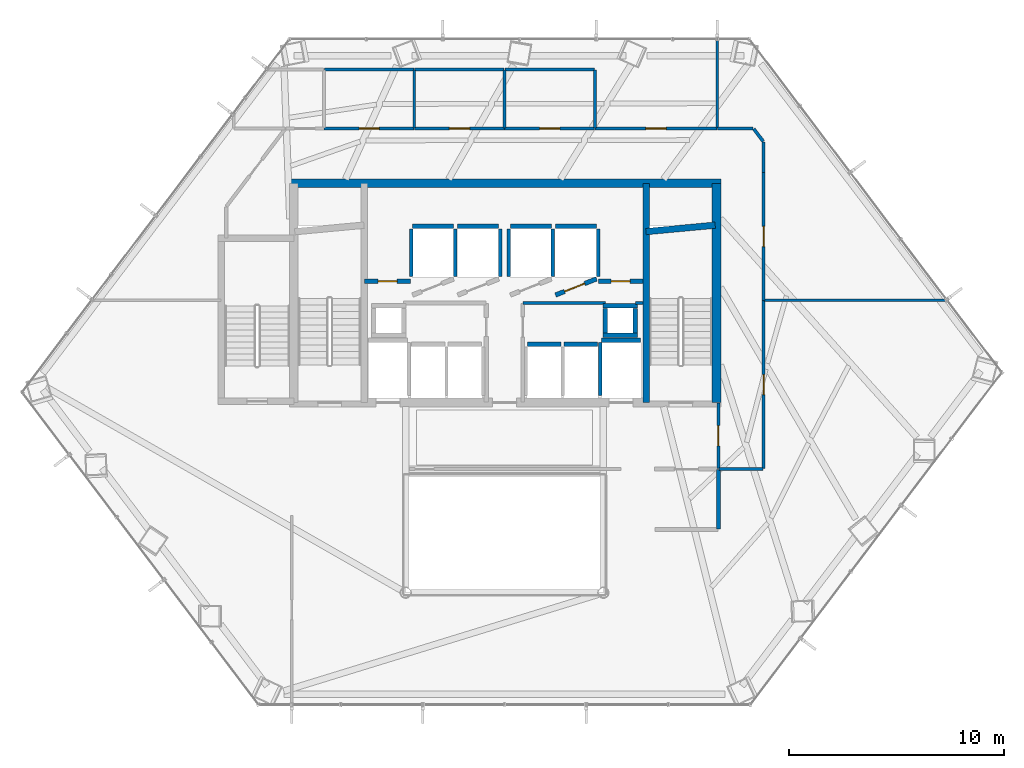
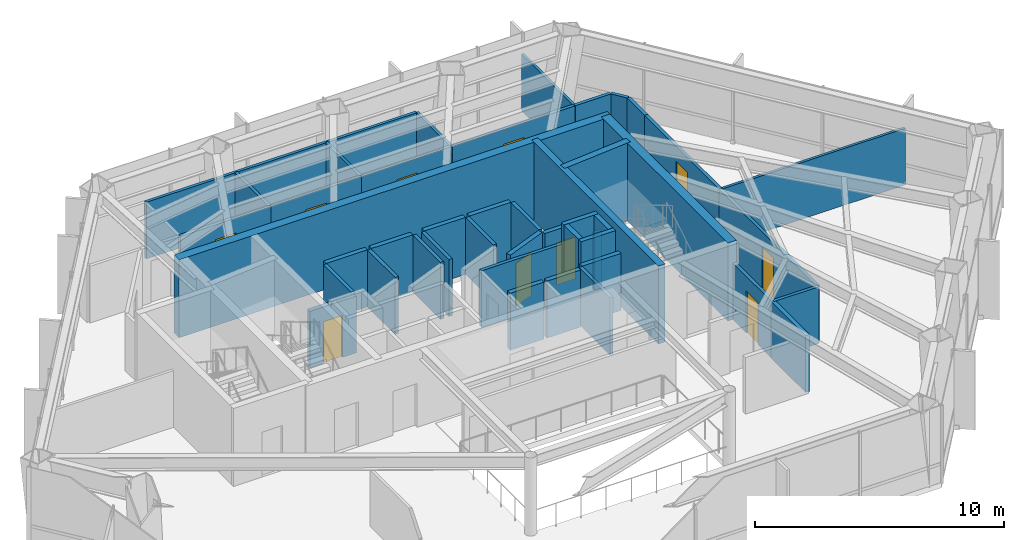
# One storey, part 24 of 26: 47 walls, 10 doors, 10 openings.
"""IFC4 building model written with IfcOpenShell, lengths in metres."""

from ifc_helpers import new_model, si_unit, direction, frame, frame_2d, origin, place, context, subcontext, project, spatial, rectangle, extrude, material, layer, layer_set, type_object, element, fill, save


model = new_model("IFC4")

# Units and contexts
model_context = context("Model", 3, precision=1e-05, world=origin(), true_north=direction((0.0, 1.0)))
body_context = subcontext(model_context, "Body", "Model", "MODEL_VIEW")
ifc_project = project(units=[si_unit("LENGTHUNIT", "METRE"), si_unit("AREAUNIT", "SQUARE_METRE"), si_unit("VOLUMEUNIT", "CUBIC_METRE"), si_unit("PLANEANGLEUNIT", "RADIAN"), si_unit("MASSUNIT", "GRAM", prefix="KILO")], contexts=[model_context])

# Site, building, storey
site_placement = place(None, origin())
site = spatial("IfcSite", under=ifc_project, at=site_placement, CompositionType="ELEMENT")
building_placement = place(site_placement, origin())
building = spatial("IfcBuilding", under=site, at=building_placement, Name="Zarrinselat Tower", CompositionType="ELEMENT")
storey_placement = place(building_placement, frame((0.0, 0.0, 35.699951171875)))
storey = spatial("IfcBuildingStorey", under=building, at=storey_placement, Name="L08", CompositionType="ELEMENT", Elevation=35.699951171875)

# Walls
ifc_material_1 = material(Name="Concrete C40/50", Category="concrete")
ifc_layer_1 = layer(ifc_material_1, 0.18994140625)
ifc_layer_set_1 = layer_set([ifc_layer_1], Name="Concrete C40/50")
wall_type_1 = type_object("IfcWallType", Name="WAL-PART-EI120", PredefinedType="PARTITIONING", material=ifc_layer_set_1)
wall_1_placement = place(storey_placement, frame((48.35009765625, 27.3701171875, 0.0), z_axis=(0.0, 0.0, 1.0), x_axis=(0.0, 1.0, 0.0)))
element("IfcWall", 1, at=wall_1_placement, inside=storey, type_object=wall_type_1, Name="L08 Partition Wall 12", PredefinedType="PARTITIONING", context=body_context, shape_type="SweptSolid", body=[
    extrude(rectangle(XDim=2.759765625, YDim=0.18994140625, at=frame_2d((1.3798828125, 0.0))), origin(), (0.0, 0.0, 1.0), 2.777099609375),
])
ifc_material_2 = material(Name="Fire-Rated Gypsum Board Partition", Category="gypsum")
ifc_layer_2 = layer(ifc_material_2, 0.14990234375)
ifc_layer_set_2 = layer_set([ifc_layer_2], Name="Fire-Rated Gypsum Board Partition")
wall_type_2 = type_object("IfcWallType", Name="WAL-PART-EI60", PredefinedType="PARTITIONING", material=ifc_layer_set_2)
wall_2_placement = place(storey_placement, frame((39.27001953125, 37.8798828125, 0.0), z_axis=(0.0, 0.0, 1.0), x_axis=(1.0, 0.0, 0.0)))
element("IfcWall", 2, at=wall_2_placement, inside=storey, type_object=wall_type_2, Name="L08 Partition Wall 5", PredefinedType="PARTITIONING", context=body_context, shape_type="SweptSolid", body=[
    extrude(rectangle(XDim=3.824951171875, YDim=0.14990234375, at=frame_2d((1.91259765625, 0.0))), origin(), (0.0, 0.0, 1.0), 2.777099609375),
])
wall_3_placement = place(storey_placement, frame((44.485107421875, 37.8798828125, 0.0), z_axis=(0.0, 0.0, 1.0), x_axis=(1.0, 0.0, 0.0)))
element("IfcWall", 3, at=wall_3_placement, inside=storey, type_object=wall_type_2, Name="L08 Partition Wall 6", PredefinedType="PARTITIONING", context=body_context, shape_type="SweptSolid", body=[
    extrude(rectangle(XDim=0.349853515625, YDim=0.14990234375, at=frame_2d((0.1748046875, 0.0))), origin(), (0.0, 0.0, 1.0), 2.777099609375),
])

# Wall, opening, door
wall_4_placement = place(storey_placement, frame((48.35009765625, 30.169921875, 0.0), z_axis=(0.0, 0.0, 1.0), x_axis=(0.0, 1.0, 0.0)))
wall_4 = element("IfcWall", 4, at=wall_4_placement, inside=storey, type_object=wall_type_2, Name="L08 Partition Wall 9", PredefinedType="PARTITIONING", context=body_context, shape_type="SweptSolid", body=[
    extrude(rectangle(XDim=3.06005859375, YDim=0.14990234375, at=frame_2d((1.530029296875, 0.0))), origin(), (0.0, 0.0, 1.0), 2.777099609375),
])
opening_1_placement = place(wall_4_placement, frame((1.06005859375, 0.0, 0.0)))
opening_1 = element("IfcOpeningElement", 5, at=opening_1_placement, cuts=wall_4, Name="Opening ID-04", PredefinedType="OPENING", context=body_context, shape_type="SweptSolid", body=[
    extrude(rectangle(XDim=0.93994140625, YDim=2.050048828125, at=frame_2d((0.469970703125, 1.02490234375))), frame((0.0, 0.0849609375, 0.0), z_axis=(0.0, -1.0, 0.0), x_axis=(1.0, 0.0, 0.0)), (0.0, 0.0, 1.0), 0.169921875),
])
ifc_material_3 = material(Name="Fire-Rated Gypsum Board Partition")
door_type_1 = type_object("IfcDoorType", Name="DR-INT-FD30-ENT", OperationType="NOTDEFINED", PredefinedType="DOOR", material=ifc_material_3)
door_1_placement = place(opening_1_placement, origin())
door_1 = element("IfcDoor", 6, at=door_1_placement, inside=storey, type_object=door_type_1, Name="L08 Interior Door P9", OperationType="SINGLE_SWING_RIGHT", OverallHeight=2.050048828125, OverallWidth=0.93994140625, PredefinedType="DOOR", context=body_context, shape_type="SweptSolid", body=[
    extrude(rectangle(XDim=0.93994140625, YDim=2.050048828125, at=frame_2d((0.469970703125, 1.02490234375))), frame((0.0, 0.02490234375, 0.0), z_axis=(0.0, -1.0, 0.0), x_axis=(1.0, 0.0, 0.0)), (0.0, 0.0, 1.0), 0.050048828125),
])
fill(opening_1, door_1)

wall_5_placement = place(storey_placement, frame((30.0048828125, 46.0, 0.0), z_axis=(0.0, 0.0, 1.0), x_axis=(1.0, 0.0, 0.0)))
wall_5 = element("IfcWall", 7, at=wall_5_placement, inside=storey, type_object=wall_type_2, Name="L08 Partition Wall 14", PredefinedType="PARTITIONING", context=body_context, shape_type="SweptSolid", body=[
    extrude(rectangle(XDim=4.190185546875, YDim=0.14990234375, at=frame_2d((2.09521484375, 0.0))), origin(), (0.0, 0.0, 1.0), 2.777099609375),
])
opening_2_placement = place(wall_5_placement, frame((1.625, 0.0, 0.0)))
opening_2 = element("IfcOpeningElement", 8, at=opening_2_placement, cuts=wall_5, Name="Opening ID-04", PredefinedType="OPENING", context=body_context, shape_type="SweptSolid", body=[
    extrude(rectangle(XDim=0.93994140625, YDim=2.050048828125, at=frame_2d((0.469970703125, 1.02490234375))), frame((0.0, 0.0849609375, 0.0), z_axis=(0.0, -1.0, 0.0), x_axis=(1.0, 0.0, 0.0)), (0.0, 0.0, 1.0), 0.169921875),
])
door_2_placement = place(opening_2_placement, origin())
door_2 = element("IfcDoor", 9, at=door_2_placement, inside=storey, type_object=door_type_1, Name="L08 Interior Door P14", OperationType="SINGLE_SWING_LEFT", OverallHeight=2.050048828125, OverallWidth=0.93994140625, PredefinedType="DOOR", context=body_context, shape_type="SweptSolid", body=[
    extrude(rectangle(XDim=0.93994140625, YDim=2.050048828125, at=frame_2d((0.469970703125, 1.02490234375))), frame((0.0, 0.02490234375, 0.0), z_axis=(0.0, -1.0, 0.0), x_axis=(1.0, 0.0, 0.0)), (0.0, 0.0, 1.0), 0.050048828125),
])
fill(opening_2, door_2)

wall_6_placement = place(storey_placement, frame((34.205078125, 46.0, 0.0), z_axis=(0.0, 0.0, 1.0), x_axis=(1.0, 0.0, 0.0)))
wall_6 = element("IfcWall", 10, at=wall_6_placement, inside=storey, type_object=wall_type_2, Name="L08 Partition Wall 15", PredefinedType="PARTITIONING", context=body_context, shape_type="SweptSolid", body=[
    extrude(rectangle(XDim=4.18994140625, YDim=0.14990234375, at=frame_2d((2.094970703125, 0.0))), origin(), (0.0, 0.0, 1.0), 2.777099609375),
])
opening_3_placement = place(wall_6_placement, frame((1.625, 0.0, 0.0)))
opening_3 = element("IfcOpeningElement", 11, at=opening_3_placement, cuts=wall_6, Name="Opening ID-04", PredefinedType="OPENING", context=body_context, shape_type="SweptSolid", body=[
    extrude(rectangle(XDim=0.93994140625, YDim=2.050048828125, at=frame_2d((0.469970703125, 1.02490234375))), frame((0.0, 0.0849609375, 0.0), z_axis=(0.0, -1.0, 0.0), x_axis=(1.0, 0.0, 0.0)), (0.0, 0.0, 1.0), 0.169921875),
])
door_3_placement = place(opening_3_placement, origin())
door_3 = element("IfcDoor", 12, at=door_3_placement, inside=storey, type_object=door_type_1, Name="L08 Interior Door P15", OperationType="SINGLE_SWING_RIGHT", OverallHeight=2.050048828125, OverallWidth=0.93994140625, PredefinedType="DOOR", context=body_context, shape_type="SweptSolid", body=[
    extrude(rectangle(XDim=0.93994140625, YDim=2.050048828125, at=frame_2d((0.469970703125, 1.02490234375))), frame((0.0, 0.02490234375, 0.0), z_axis=(0.0, -1.0, 0.0), x_axis=(1.0, 0.0, 0.0)), (0.0, 0.0, 1.0), 0.050048828125),
])
fill(opening_3, door_3)

wall_7_placement = place(storey_placement, frame((38.405029296875, 46.0, 0.0), z_axis=(0.0, 0.0, 1.0), x_axis=(1.0, 0.0, 0.0)))
wall_7 = element("IfcWall", 13, at=wall_7_placement, inside=storey, type_object=wall_type_2, Name="L08 Partition Wall 16", PredefinedType="PARTITIONING", context=body_context, shape_type="SweptSolid", body=[
    extrude(rectangle(XDim=4.18994140625, YDim=0.14990234375, at=frame_2d((2.094970703125, 0.0))), origin(), (0.0, 0.0, 1.0), 2.777099609375),
])
opening_4_placement = place(wall_7_placement, frame((1.625, 0.0, 0.0)))
opening_4 = element("IfcOpeningElement", 14, at=opening_4_placement, cuts=wall_7, Name="Opening ID-04", PredefinedType="OPENING", context=body_context, shape_type="SweptSolid", body=[
    extrude(rectangle(XDim=0.93994140625, YDim=2.050048828125, at=frame_2d((0.469970703125, 1.02490234375))), frame((0.0, 0.0849609375, 0.0), z_axis=(0.0, -1.0, 0.0), x_axis=(1.0, 0.0, 0.0)), (0.0, 0.0, 1.0), 0.169921875),
])
door_4_placement = place(opening_4_placement, origin())
door_4 = element("IfcDoor", 15, at=door_4_placement, inside=storey, type_object=door_type_1, Name="L08 Interior Door P16", OperationType="SINGLE_SWING_LEFT", OverallHeight=2.050048828125, OverallWidth=0.93994140625, PredefinedType="DOOR", context=body_context, shape_type="SweptSolid", body=[
    extrude(rectangle(XDim=0.93994140625, YDim=2.050048828125, at=frame_2d((0.469970703125, 1.02490234375))), frame((0.0, 0.02490234375, 0.0), z_axis=(0.0, -1.0, 0.0), x_axis=(1.0, 0.0, 0.0)), (0.0, 0.0, 1.0), 0.050048828125),
])
fill(opening_4, door_4)

wall_8_placement = place(storey_placement, frame((50.449951171875, 30.169921875, 0.0), z_axis=(0.0, 0.0, 1.0), x_axis=(0.0, 1.0, 0.0)))
wall_8 = element("IfcWall", 16, at=wall_8_placement, inside=storey, type_object=wall_type_2, Name="L08 Partition Wall 17", PredefinedType="PARTITIONING", context=body_context, shape_type="SweptSolid", body=[
    extrude(rectangle(XDim=7.8251953125, YDim=0.14990234375, at=frame_2d((3.91259765625, 0.0))), origin(), (0.0, 0.0, 1.0), 2.777099609375),
])
opening_5_placement = place(wall_8_placement, frame((3.4423828125, 0.0, 0.0)))
opening_5 = element("IfcOpeningElement", 17, at=opening_5_placement, cuts=wall_8, Name="Opening ID-04", PredefinedType="OPENING", context=body_context, shape_type="SweptSolid", body=[
    extrude(rectangle(XDim=0.93994140625, YDim=2.050048828125, at=frame_2d((0.469970703125, 1.02490234375))), frame((0.0, 0.0849609375, 0.0), z_axis=(0.0, -1.0, 0.0), x_axis=(1.0, 0.0, 0.0)), (0.0, 0.0, 1.0), 0.169921875),
])
door_5_placement = place(opening_5_placement, origin())
door_5 = element("IfcDoor", 18, at=door_5_placement, inside=storey, type_object=door_type_1, Name="L08 Interior Door P17", OperationType="SINGLE_SWING_RIGHT", OverallHeight=2.050048828125, OverallWidth=0.93994140625, PredefinedType="DOOR", context=body_context, shape_type="SweptSolid", body=[
    extrude(rectangle(XDim=0.93994140625, YDim=2.050048828125, at=frame_2d((0.469970703125, 1.02490234375))), frame((0.0, 0.02490234375, 0.0), z_axis=(0.0, -1.0, 0.0), x_axis=(1.0, 0.0, 0.0)), (0.0, 0.0, 1.0), 0.050048828125),
])
fill(opening_5, door_5)

# Walls
wall_9_placement = place(storey_placement, frame((48.3701171875, 30.14990234375, 0.0), z_axis=(0.0, 0.0, 1.0), x_axis=(1.0, 0.0, 0.0)))
element("IfcWall", 19, at=wall_9_placement, inside=storey, type_object=wall_type_2, Name="L08 Partition Wall 18", PredefinedType="PARTITIONING", context=body_context, shape_type="SweptSolid", body=[
    extrude(rectangle(XDim=2.059814453125, YDim=0.14990234375, at=frame_2d((1.02978515625, 0.0))), origin(), (0.0, 0.0, 1.0), 2.777099609375),
])
wall_10_placement = place(storey_placement, frame((48.31494140625, 46.0, 0.0), z_axis=(0.0, 0.0, 1.0), x_axis=(1.0, 0.0, 0.0)))
element("IfcWall", 20, at=wall_10_placement, inside=storey, type_object=wall_type_2, Name="L08 Partition Wall 21", PredefinedType="PARTITIONING", context=body_context, shape_type="SweptSolid", body=[
    extrude(rectangle(XDim=1.64599609375, YDim=0.14990234375, at=frame_2d((0.822998046875, 0.0))), origin(), (0.0, 0.0, 1.0), 2.777099609375),
])
wall_11_placement = place(storey_placement, frame((49.9931640625, 45.984130859375, 0.0), z_axis=(0.0, 0.0, 1.0), x_axis=(0.603704571474, -0.797208122375, 0.0)))
element("IfcWall", 21, at=wall_11_placement, inside=storey, type_object=wall_type_2, Name="L08 Partition Wall 22", PredefinedType="PARTITIONING", context=body_context, shape_type="SweptSolid", body=[
    extrude(rectangle(XDim=0.73681640625, YDim=0.14990234375, at=frame_2d((0.368408203125, 0.0))), origin(), (0.0, 0.0, 1.0), 2.777099609375),
])
wall_12_placement = place(storey_placement, frame((50.449951171875, 43.949951171875, 0.0), z_axis=(0.0, 0.0, 1.0), x_axis=(0.0, 1.0, 0.0)))
element("IfcWall", 22, at=wall_12_placement, inside=storey, type_object=wall_type_2, Name="L08 Partition Wall 23", PredefinedType="PARTITIONING", context=body_context, shape_type="SweptSolid", body=[
    extrude(rectangle(XDim=1.410888671875, YDim=0.14990234375, at=frame_2d((0.70556640625, 0.0))), origin(), (0.0, 0.0, 1.0), 2.777099609375),
])

# Wall, opening, door
wall_13_placement = place(storey_placement, frame((50.449951171875, 38.0048828125, 0.0), z_axis=(0.0, 0.0, 1.0), x_axis=(0.0, 1.0, 0.0)))
wall_13 = element("IfcWall", 23, at=wall_13_placement, inside=storey, type_object=wall_type_2, Name="L08 Partition Wall 24", PredefinedType="PARTITIONING", context=body_context, shape_type="SweptSolid", body=[
    extrude(rectangle(XDim=5.945068359375, YDim=0.14990234375, at=frame_2d((2.97265625, 0.0))), origin(), (0.0, 0.0, 1.0), 2.777099609375),
])
opening_6_placement = place(wall_13_placement, frame((2.50244140625, 0.0, 0.0)))
opening_6 = element("IfcOpeningElement", 24, at=opening_6_placement, cuts=wall_13, Name="Opening ID-04", PredefinedType="OPENING", context=body_context, shape_type="SweptSolid", body=[
    extrude(rectangle(XDim=0.93994140625, YDim=2.050048828125, at=frame_2d((0.469970703125, 1.02490234375))), frame((0.0, 0.0849609375, 0.0), z_axis=(0.0, -1.0, 0.0), x_axis=(1.0, 0.0, 0.0)), (0.0, 0.0, 1.0), 0.169921875),
])
door_6_placement = place(opening_6_placement, origin())
door_6 = element("IfcDoor", 25, at=door_6_placement, inside=storey, type_object=door_type_1, Name="L08 Interior Door P24", OperationType="SINGLE_SWING_RIGHT", OverallHeight=2.050048828125, OverallWidth=0.93994140625, PredefinedType="DOOR", context=body_context, shape_type="SweptSolid", body=[
    extrude(rectangle(XDim=0.93994140625, YDim=2.050048828125, at=frame_2d((0.469970703125, 1.02490234375))), frame((0.0, 0.02490234375, 0.0), z_axis=(0.0, -1.0, 0.0), x_axis=(1.0, 0.0, 0.0)), (0.0, 0.0, 1.0), 0.050048828125),
])
fill(opening_6, door_6)

wall_14_placement = place(storey_placement, frame((42.60498046875, 46.0, 0.0), z_axis=(0.0, 0.0, 1.0), x_axis=(1.0, 0.0, 0.0)))
wall_14 = element("IfcWall", 26, at=wall_14_placement, inside=storey, type_object=wall_type_2, Name="L08 Partition Wall 25", PredefinedType="PARTITIONING", context=body_context, shape_type="SweptSolid", body=[
    extrude(rectangle(XDim=5.68994140625, YDim=0.14990234375, at=frame_2d((2.844970703125, 0.0))), origin(), (0.0, 0.0, 1.0), 2.777099609375),
])
opening_7_placement = place(wall_14_placement, frame((2.375, 0.0, 0.0)))
opening_7 = element("IfcOpeningElement", 27, at=opening_7_placement, cuts=wall_14, Name="Opening ID-04", PredefinedType="OPENING", context=body_context, shape_type="SweptSolid", body=[
    extrude(rectangle(XDim=0.93994140625, YDim=2.050048828125, at=frame_2d((0.469970703125, 1.02490234375))), frame((0.0, 0.0849609375, 0.0), z_axis=(0.0, -1.0, 0.0), x_axis=(1.0, 0.0, 0.0)), (0.0, 0.0, 1.0), 0.169921875),
])
door_7_placement = place(opening_7_placement, origin())
door_7 = element("IfcDoor", 28, at=door_7_placement, inside=storey, type_object=door_type_1, Name="L08 Interior Door P25", OperationType="SINGLE_SWING_LEFT", OverallHeight=2.050048828125, OverallWidth=0.93994140625, PredefinedType="DOOR", context=body_context, shape_type="SweptSolid", body=[
    extrude(rectangle(XDim=0.93994140625, YDim=2.050048828125, at=frame_2d((0.469970703125, 1.02490234375))), frame((0.0, 0.02490234375, 0.0), z_axis=(0.0, -1.0, 0.0), x_axis=(1.0, 0.0, 0.0)), (0.0, 0.0, 1.0), 0.050048828125),
])
fill(opening_7, door_7)

ifc_material_4 = material(Name="Concrete C40/50", Category="concrete")
ifc_layer_3 = layer(ifc_material_4, 0.199951171875)
ifc_layer_set_3 = layer_set([ifc_layer_3], Name="Concrete C40/50")
wall_type_3 = type_object("IfcWallType", Name="WAL-PART-PLANT", PredefinedType="PARTITIONING", material=ifc_layer_set_3)
wall_15_placement = place(storey_placement, frame((31.885009765625, 38.889892578125, 0.0), z_axis=(0.0, 0.0, 1.0), x_axis=(1.0, 0.0, 0.0)))
wall_15 = element("IfcWall", 29, at=wall_15_placement, inside=storey, type_object=wall_type_3, Name="L08 Partition Wall 3", PredefinedType="PARTITIONING", context=body_context, shape_type="SweptSolid", body=[
    extrude(rectangle(XDim=2.14990234375, YDim=0.199951171875, at=frame_2d((1.074951171875, 0.0))), origin(), (0.0, 0.0, 1.0), 2.777099609375),
])
opening_8_placement = place(wall_15_placement, frame((0.635009765625, 0.0, 0.0)))
opening_8 = element("IfcOpeningElement", 30, at=opening_8_placement, cuts=wall_15, Name="Opening ID-03", PredefinedType="OPENING", context=body_context, shape_type="SweptSolid", body=[
    extrude(rectangle(XDim=0.8798828125, YDim=2.050048828125, at=frame_2d((0.43994140625, 1.02490234375))), frame((0.0, 0.10986328125, 0.0), z_axis=(0.0, -1.0, 0.0), x_axis=(1.0, 0.0, 0.0)), (0.0, 0.0, 1.0), 0.219970703125),
])
ifc_material_5 = material(Name="Steel S355J2", Category="steel")
door_type_2 = type_object("IfcDoorType", Name="DR-INT-FD60-S", OperationType="NOTDEFINED", PredefinedType="DOOR", material=ifc_material_5)
door_8_placement = place(opening_8_placement, origin())
door_8 = element("IfcDoor", 31, at=door_8_placement, inside=storey, type_object=door_type_2, Name="L08 Interior Door P3", OperationType="SINGLE_SWING_RIGHT", OverallHeight=2.050048828125, OverallWidth=0.8798828125, PredefinedType="DOOR", context=body_context, shape_type="SweptSolid", body=[
    extrude(rectangle(XDim=0.8798828125, YDim=2.050048828125, at=frame_2d((0.43994140625, 1.02490234375))), frame((0.0, 0.02490234375, 0.0), z_axis=(0.0, -1.0, 0.0), x_axis=(1.0, 0.0, 0.0)), (0.0, 0.0, 1.0), 0.050048828125),
])
fill(opening_8, door_8)

wall_16_placement = place(storey_placement, frame((42.764892578125, 38.889892578125, 0.0), z_axis=(0.0, 0.0, 1.0), x_axis=(1.0, 0.0, 0.0)))
wall_16 = element("IfcWall", 32, at=wall_16_placement, inside=storey, type_object=wall_type_3, Name="L08 Partition Wall 4", PredefinedType="PARTITIONING", context=body_context, shape_type="SweptSolid", body=[
    extrude(rectangle(XDim=2.070068359375, YDim=0.199951171875, at=frame_2d((1.03515625, 0.0))), origin(), (0.0, 0.0, 1.0), 2.777099609375),
])
opening_9_placement = place(wall_16_placement, frame((0.594970703125, 0.0, 0.0)))
opening_9 = element("IfcOpeningElement", 33, at=opening_9_placement, cuts=wall_16, Name="Opening ID-03", PredefinedType="OPENING", context=body_context, shape_type="SweptSolid", body=[
    extrude(rectangle(XDim=0.8798828125, YDim=2.050048828125, at=frame_2d((0.43994140625, 1.02490234375))), frame((0.0, 0.10986328125, 0.0), z_axis=(0.0, -1.0, 0.0), x_axis=(1.0, 0.0, 0.0)), (0.0, 0.0, 1.0), 0.219970703125),
])
door_9_placement = place(opening_9_placement, origin())
door_9 = element("IfcDoor", 34, at=door_9_placement, inside=storey, type_object=door_type_2, Name="L08 Interior Door P4", OperationType="SINGLE_SWING_LEFT", OverallHeight=2.050048828125, OverallWidth=0.8798828125, PredefinedType="DOOR", context=body_context, shape_type="SweptSolid", body=[
    extrude(rectangle(XDim=0.8798828125, YDim=2.050048828125, at=frame_2d((0.43994140625, 1.02490234375))), frame((0.0, 0.02490234375, 0.0), z_axis=(0.0, -1.0, 0.0), x_axis=(1.0, 0.0, 0.0)), (0.0, 0.0, 1.0), 0.050048828125),
])
fill(opening_9, door_9)

# Walls
ifc_material_6 = material(Name="Fire-Rated Gypsum Board Partition", Category="gypsum")
ifc_layer_4 = layer(ifc_material_6, 0.1201171875)
ifc_layer_set_4 = layer_set([ifc_layer_4], Name="Fire-Rated Gypsum Board Partition")
wall_type_4 = type_object("IfcWallType", Name="WAL-PART-STD", PredefinedType="PARTITIONING", material=ifc_layer_set_4)
wall_17_placement = place(storey_placement, frame((50.469970703125, 38.0, 0.0), z_axis=(0.0, 0.0, 1.0), x_axis=(1.0, 0.0, 0.0)))
element("IfcWall", 35, at=wall_17_placement, inside=storey, type_object=wall_type_4, Name="L08 Partition Wall 38", PredefinedType="PARTITIONING", context=body_context, shape_type="SweptSolid", body=[
    extrude(rectangle(XDim=8.517333984375, YDim=0.1201171875, at=frame_2d((4.2587890625, 0.0))), origin(), (0.0, 0.0, 1.0), 2.777099609375),
])
wall_18_placement = place(storey_placement, frame((48.300048828125, 46.02001953125, 0.0), z_axis=(0.0, 0.0, 1.0), x_axis=(0.0, 1.0, 0.0)))
element("IfcWall", 36, at=wall_18_placement, inside=storey, type_object=wall_type_4, Name="L08 Partition Wall 39", PredefinedType="PARTITIONING", context=body_context, shape_type="SweptSolid", body=[
    extrude(rectangle(XDim=4.1259765625, YDim=0.1201171875, at=frame_2d((2.06298828125, 0.0))), origin(), (0.0, 0.0, 1.0), 2.777099609375),
])
ifc_material_7 = material(Name="Fire-Rated Gypsum Board Partition", Category="gypsum")
ifc_layer_5 = layer(ifc_material_7, 0.135009765625)
ifc_layer_set_5 = layer_set([ifc_layer_5], Name="Fire-Rated Gypsum Board Partition")
wall_type_5 = type_object("IfcWallType", Name="WAL-PART-WET", PredefinedType="PARTITIONING", material=ifc_layer_set_5)
wall_19_placement = place(storey_placement, frame((34.199951171875, 46.02001953125, 0.0), z_axis=(0.0, 0.0, 1.0), x_axis=(0.0, 1.0, 0.0)))
element("IfcWall", 37, at=wall_19_placement, inside=storey, type_object=wall_type_5, Name="L08 Partition Wall 30", PredefinedType="PARTITIONING", context=body_context, shape_type="SweptSolid", body=[
    extrude(rectangle(XDim=2.7099609375, YDim=0.135009765625, at=frame_2d((1.35498046875, 0.0))), origin(), (0.0, 0.0, 1.0), 2.777099609375),
])
wall_20_placement = place(storey_placement, frame((30.02001953125, 48.75, 0.0), z_axis=(0.0, 0.0, 1.0), x_axis=(1.0, 0.0, 0.0)))
element("IfcWall", 38, at=wall_20_placement, inside=storey, type_object=wall_type_5, Name="L08 Partition Wall 31", PredefinedType="PARTITIONING", context=body_context, shape_type="SweptSolid", body=[
    extrude(rectangle(XDim=4.159912109375, YDim=0.135009765625, at=frame_2d((2.080078125, 0.0))), origin(), (0.0, 0.0, 1.0), 2.777099609375),
])
wall_21_placement = place(storey_placement, frame((38.39990234375, 46.02001953125, 0.0), z_axis=(0.0, 0.0, 1.0), x_axis=(0.0, 1.0, 0.0)))
element("IfcWall", 39, at=wall_21_placement, inside=storey, type_object=wall_type_5, Name="L08 Partition Wall 32", PredefinedType="PARTITIONING", context=body_context, shape_type="SweptSolid", body=[
    extrude(rectangle(XDim=2.7099609375, YDim=0.135009765625, at=frame_2d((1.35498046875, 0.0))), origin(), (0.0, 0.0, 1.0), 2.777099609375),
])
wall_22_placement = place(storey_placement, frame((34.219970703125, 48.75, 0.0), z_axis=(0.0, 0.0, 1.0), x_axis=(1.0, 0.0, 0.0)))
element("IfcWall", 40, at=wall_22_placement, inside=storey, type_object=wall_type_5, Name="L08 Partition Wall 33", PredefinedType="PARTITIONING", context=body_context, shape_type="SweptSolid", body=[
    extrude(rectangle(XDim=4.159912109375, YDim=0.135009765625, at=frame_2d((2.080078125, 0.0))), origin(), (0.0, 0.0, 1.0), 2.777099609375),
])
wall_23_placement = place(storey_placement, frame((38.419921875, 48.75, 0.0), z_axis=(0.0, 0.0, 1.0), x_axis=(1.0, 0.0, 0.0)))
element("IfcWall", 41, at=wall_23_placement, inside=storey, type_object=wall_type_5, Name="L08 Partition Wall 34", PredefinedType="PARTITIONING", context=body_context, shape_type="SweptSolid", body=[
    extrude(rectangle(XDim=4.16015625, YDim=0.135009765625, at=frame_2d((2.080078125, 0.0))), origin(), (0.0, 0.0, 1.0), 2.777099609375),
])
wall_24_placement = place(storey_placement, frame((42.60009765625, 46.02001953125, 0.0), z_axis=(0.0, 0.0, 1.0), x_axis=(0.0, 1.0, 0.0)))
element("IfcWall", 42, at=wall_24_placement, inside=storey, type_object=wall_type_5, Name="L08 Partition Wall 35", PredefinedType="PARTITIONING", context=body_context, shape_type="SweptSolid", body=[
    extrude(rectangle(XDim=2.7099609375, YDim=0.135009765625, at=frame_2d((1.35498046875, 0.0))), origin(), (0.0, 0.0, 1.0), 2.777099609375),
])
ifc_material_8 = material(Name="Concrete C40/50", Category="concrete")
ifc_layer_6 = layer(ifc_material_8, 0.2099609375)
ifc_layer_set_6 = layer_set([ifc_layer_6], Name="Concrete C40/50")
wall_type_6 = type_object("IfcWallType", Name="WAL-SHAFT-210", PredefinedType="SOLIDWALL", material=ifc_layer_set_6)
wall_25_placement = place(storey_placement, frame((42.919921875, 36.155029296875, 0.0), z_axis=(0.0, 0.0, 1.0), x_axis=(1.0, 0.0, 0.0)))
element("IfcWall", 43, at=wall_25_placement, inside=storey, type_object=wall_type_6, Name="L08 Lift FFL2 North Shaft Wall", PredefinedType="SOLIDWALL", context=body_context, shape_type="SweptSolid", body=[
    extrude(rectangle(XDim=1.800048828125, YDim=0.2099609375, at=frame_2d((0.89990234375, 0.0))), origin(), (0.0, 0.0, 1.0), 2.7919921875),
])
wall_26_placement = place(storey_placement, frame((42.85009765625, 33.580078125, 0.0), z_axis=(0.0, 0.0, 1.0), x_axis=(0.0, 1.0, 0.0)))
element("IfcWall", 44, at=wall_26_placement, inside=storey, type_object=wall_type_6, Name="L08 Lift FFL2 W Shaft Wall", PredefinedType="SOLIDWALL", context=body_context, shape_type="SweptSolid", body=[
    extrude(rectangle(XDim=2.449951171875, YDim=0.159912109375, at=frame_2d((1.22509765625, 0.0))), origin(), (0.0, 0.0, 1.0), 2.7919921875),
])
wall_27_placement = place(storey_placement, frame((34.1201171875, 41.455078125, 0.0), z_axis=(0.0, 0.0, 1.0), x_axis=(1.0, 0.0, 0.0)))
element("IfcWall", 45, at=wall_27_placement, inside=storey, type_object=wall_type_6, Name="L08 Lift PL1 Rear Shaft Wall", PredefinedType="SOLIDWALL", context=body_context, shape_type="SweptSolid", body=[
    extrude(rectangle(XDim=1.909912109375, YDim=0.2099609375, at=frame_2d((0.955078125, 0.0))), origin(), (0.0, 0.0, 1.0), 2.7919921875),
])
for number, where, z_axis, x_axis, name in (
    (46, (34.050048828125, 39.1201171875, 0.0), (0.0, 0.0, 1.0), (0.0, 1.0, 0.0), "L08 Lift PL1 W Shaft Wall"),
    (47, (36.10009765625, 39.1201171875, 0.0), (0.0, 0.0, 1.0), (0.0, 1.0, 0.0), "L08 Lift PL1 E Shaft Wall"),
):
    element("IfcWall", number, at=place(storey_placement, frame(where, z_axis=z_axis, x_axis=x_axis)), inside=storey, type_object=wall_type_6, Name=name, PredefinedType="SOLIDWALL", context=body_context, shape_type="SweptSolid", body=[
        extrude(rectangle(XDim=2.2099609375, YDim=0.159912109375, at=frame_2d((1.10498046875, 0.0))), origin(), (0.0, 0.0, 1.0), 2.7919921875),
    ])
wall_28_placement = place(storey_placement, frame((36.219970703125, 41.455078125, 0.0), z_axis=(0.0, 0.0, 1.0), x_axis=(1.0, 0.0, 0.0)))
element("IfcWall", 48, at=wall_28_placement, inside=storey, type_object=wall_type_6, Name="L08 Lift PL2 Rear Shaft Wall", PredefinedType="SOLIDWALL", context=body_context, shape_type="SweptSolid", body=[
    extrude(rectangle(XDim=1.909912109375, YDim=0.2099609375, at=frame_2d((0.955078125, 0.0))), origin(), (0.0, 0.0, 1.0), 2.7919921875),
])
wall_29_placement = place(storey_placement, frame((38.199951171875, 39.1201171875, 0.0), z_axis=(0.0, 0.0, 1.0), x_axis=(0.0, 1.0, 0.0)))
element("IfcWall", 49, at=wall_29_placement, inside=storey, type_object=wall_type_6, Name="L08 Lift PL2 E Shaft Wall", PredefinedType="SOLIDWALL", context=body_context, shape_type="SweptSolid", body=[
    extrude(rectangle(XDim=2.2099609375, YDim=0.159912109375, at=frame_2d((1.10498046875, 0.0))), origin(), (0.0, 0.0, 1.0), 2.7919921875),
])
wall_30_placement = place(storey_placement, frame((38.669921875, 41.455078125, 0.0), z_axis=(0.0, 0.0, 1.0), x_axis=(1.0, 0.0, 0.0)))
element("IfcWall", 50, at=wall_30_placement, inside=storey, type_object=wall_type_6, Name="L08 Lift PL3 Rear Shaft Wall", PredefinedType="SOLIDWALL", context=body_context, shape_type="SweptSolid", body=[
    extrude(rectangle(XDim=1.91015625, YDim=0.2099609375, at=frame_2d((0.955078125, 0.0))), origin(), (0.0, 0.0, 1.0), 2.7919921875),
])
for number, where, z_axis, x_axis, name in (
    (51, (38.60009765625, 39.1201171875, 0.0), (0.0, 0.0, 1.0), (0.0, 1.0, 0.0), "L08 Lift PL3 W Shaft Wall"),
    (52, (40.64990234375, 39.1201171875, 0.0), (0.0, 0.0, 1.0), (0.0, 1.0, 0.0), "L08 Lift PL3 E Shaft Wall"),
):
    element("IfcWall", number, at=place(storey_placement, frame(where, z_axis=z_axis, x_axis=x_axis)), inside=storey, type_object=wall_type_6, Name=name, PredefinedType="SOLIDWALL", context=body_context, shape_type="SweptSolid", body=[
        extrude(rectangle(XDim=2.2099609375, YDim=0.159912109375, at=frame_2d((1.10498046875, 0.0))), origin(), (0.0, 0.0, 1.0), 2.7919921875),
    ])

# Wall, opening, door
wall_31_placement = place(storey_placement, frame((40.77001953125, 38.25, 0.0), z_axis=(0.0, 0.0, 1.0), x_axis=(0.930804993012, 0.36551616241, 0.0)))
wall_31 = element("IfcWall", 53, at=wall_31_placement, inside=storey, type_object=wall_type_6, Name="L08 Lift PL4 Front Shaft Wall", PredefinedType="SOLIDWALL", context=body_context, shape_type="SweptSolid", body=[
    extrude(rectangle(XDim=2.052001953125, YDim=0.2099609375, at=frame_2d((1.02587890625, 0.0))), origin(), (0.0, 0.0, 1.0), 2.7919921875),
])
opening_10_placement = place(wall_31_placement, frame((0.455078125, 0.0, 0.0)))
opening_10 = element("IfcOpeningElement", 54, at=opening_10_placement, cuts=wall_31, Name="Opening LD-PL4", PredefinedType="OPENING", context=body_context, shape_type="SweptSolid", body=[
    extrude(rectangle(XDim=1.0, YDim=2.10009765625, at=frame_2d((0.5, 1.050048828125))), frame((0.0, 0.114990234375, 0.0), z_axis=(0.0, -1.0, 0.0), x_axis=(1.0, 0.0, 0.0)), (0.0, 0.0, 1.0), 0.22998046875),
])
ifc_material_9 = material(Name="Steel S355J2", Category="steel")
door_type_3 = type_object("IfcDoorType", Name="DR-LIFT-PS-1000", OperationType="NOTDEFINED", PredefinedType="DOOR", material=ifc_material_9)
door_10_placement = place(opening_10_placement, origin())
door_10 = element("IfcDoor", 55, at=door_10_placement, inside=storey, type_object=door_type_3, Name="L08 Lift PL4 Sliding Landing Door", OperationType="SLIDING_TO_RIGHT", OverallHeight=2.10009765625, OverallWidth=1.0, PredefinedType="DOOR", context=body_context, shape_type="SweptSolid", body=[
    extrude(rectangle(XDim=1.0, YDim=2.10009765625, at=frame_2d((0.5, 1.050048828125))), frame((0.0, 0.02490234375, 0.0), z_axis=(0.0, -1.0, 0.0), x_axis=(1.0, 0.0, 0.0)), (0.0, 0.0, 1.0), 0.050048828125),
])
fill(opening_10, door_10)

# Walls
wall_32_placement = place(storey_placement, frame((40.77001953125, 41.455078125, 0.0), z_axis=(0.0, 0.0, 1.0), x_axis=(1.0, 0.0, 0.0)))
element("IfcWall", 56, at=wall_32_placement, inside=storey, type_object=wall_type_6, Name="L08 Lift PL4 Rear Shaft Wall", PredefinedType="SOLIDWALL", context=body_context, shape_type="SweptSolid", body=[
    extrude(rectangle(XDim=1.909912109375, YDim=0.2099609375, at=frame_2d((0.955078125, 0.0))), origin(), (0.0, 0.0, 1.0), 2.7919921875),
])
wall_33_placement = place(storey_placement, frame((42.75, 39.1201171875, 0.0), z_axis=(0.0, 0.0, 1.0), x_axis=(0.0, 1.0, 0.0)))
element("IfcWall", 57, at=wall_33_placement, inside=storey, type_object=wall_type_6, Name="L08 Lift PL4 E Shaft Wall", PredefinedType="SOLIDWALL", context=body_context, shape_type="SweptSolid", body=[
    extrude(rectangle(XDim=2.2099609375, YDim=0.159912109375, at=frame_2d((1.10498046875, 0.0))), origin(), (0.0, 0.0, 1.0), 2.7919921875),
])
for number, where, z_axis, x_axis, name in (
    (58, (39.469970703125, 35.955078125, 0.0), (0.0, 0.0, 1.0), (1.0, 0.0, 0.0), "L08 Lift PL8 North Shaft Wall"),
    (59, (41.169921875, 35.955078125, 0.0), (0.0, 0.0, 1.0), (1.0, 0.0, 0.0), "L08 Lift PL9 North Shaft Wall"),
):
    element("IfcWall", number, at=place(storey_placement, frame(where, z_axis=z_axis, x_axis=x_axis)), inside=storey, type_object=wall_type_6, Name=name, PredefinedType="SOLIDWALL", context=body_context, shape_type="SweptSolid", body=[
        extrude(rectangle(XDim=1.56005859375, YDim=0.2099609375, at=frame_2d((0.780029296875, 0.0))), origin(), (0.0, 0.0, 1.0), 2.7919921875),
    ])
for number, where, z_axis, x_axis, name in (
    (60, (42.989990234375, 36.375, 0.0), (0.0, 0.0, 1.0), (1.0, 0.0, 0.0), "L08 Core Riser RSR-E S Shaft Wall"),
    (61, (42.989990234375, 37.7451171875, 0.0), (0.0, 0.0, 1.0), (1.0, 0.0, 0.0), "L08 Core Riser RSR-E N Shaft Wall"),
):
    element("IfcWall", number, at=place(storey_placement, frame(where, z_axis=z_axis, x_axis=x_axis)), inside=storey, type_object=wall_type_6, Name=name, PredefinedType="SOLIDWALL", context=body_context, shape_type="SweptSolid", body=[
        extrude(rectangle(XDim=1.60009765625, YDim=0.2099609375, at=frame_2d((0.800048828125, 0.0))), origin(), (0.0, 0.0, 1.0), 3.820068359375),
    ])
for number, where, z_axis, x_axis, name in (
    (62, (43.094970703125, 36.485107421875, 0.0), (0.0, 0.0, 1.0), (0.0, 1.0, 0.0), "L08 Core Riser RSR-E W Shaft Wall"),
    (63, (44.485107421875, 36.485107421875, 0.0), (0.0, 0.0, 1.0), (0.0, 1.0, 0.0), "L08 Core Riser RSR-E E Shaft Wall"),
):
    element("IfcWall", number, at=place(storey_placement, frame(where, z_axis=z_axis, x_axis=x_axis)), inside=storey, type_object=wall_type_6, Name=name, PredefinedType="SOLIDWALL", context=body_context, shape_type="SweptSolid", body=[
        extrude(rectangle(XDim=1.14990234375, YDim=0.2099609375, at=frame_2d((0.574951171875, 0.0))), origin(), (0.0, 0.0, 1.0), 3.820068359375),
    ])
ifc_material_10 = material(Name="Concrete C40/50", Category="concrete")
ifc_layer_7 = layer(ifc_material_10, 0.300048828125)
ifc_layer_set_7 = layer_set([ifc_layer_7], Name="Concrete C40/50")
wall_type_7 = type_object("IfcWallType", Name="WAL-SHEAR-300", PredefinedType="SHEAR", material=ifc_layer_set_7)
wall_34_placement = place(storey_placement, frame((44.989990234375, 33.25, 0.0), z_axis=(0.0, 0.0, 1.0), x_axis=(0.0, 1.0, 0.0)))
element("IfcWall", 64, at=wall_34_placement, inside=storey, type_object=wall_type_7, Name="L08 Core Shear Wall ST2W", PredefinedType="SHEAR", context=body_context, shape_type="SweptSolid", body=[
    extrude(rectangle(XDim=10.199951171875, YDim=0.300048828125, at=frame_2d((5.10009765625, 0.0))), origin(), (0.0, 0.0, 1.0), 3.820068359375),
])
wall_35_placement = place(storey_placement, frame((44.97998046875, 41.199951171875, 0.0), z_axis=(0.0, 0.0, 1.0), x_axis=(0.995686468965, 0.09278176286, 0.0)))
element("IfcWall", 65, at=wall_35_placement, inside=storey, type_object=wall_type_7, Name="L08 Stair 2 North Shaft Wall", PredefinedType="SHEAR", context=body_context, shape_type="SweptSolid", body=[
    extrude(rectangle(XDim=3.23388671875, YDim=0.300048828125, at=frame_2d((1.616943359375, 0.0))), origin(), (0.0, 0.0, 1.0), 3.820068359375),
])
ifc_material_11 = material(Name="Concrete C60/75", Category="concrete")
ifc_layer_8 = layer(ifc_material_11, 0.39990234375)
ifc_layer_set_8 = layer_set([ifc_layer_8], Name="Concrete C60/75")
wall_type_8 = type_object("IfcWallType", Name="WAL-SHEAR-400", PredefinedType="SHEAR", material=ifc_layer_set_8)
wall_36_placement = place(storey_placement, frame((28.39990234375, 43.449951171875, 0.0), z_axis=(0.0, 0.0, 1.0), x_axis=(1.0, 0.0, 0.0)))
element("IfcWall", 66, at=wall_36_placement, inside=storey, type_object=wall_type_8, Name="L08 North Core Shear Wall", PredefinedType="SHEAR", context=body_context, shape_type="SweptSolid", body=[
    extrude(rectangle(XDim=20.06005859375, YDim=0.39990234375, at=frame_2d((10.030029296875, 0.0))), origin(), (0.0, 0.0, 1.0), 3.820068359375),
])
wall_37_placement = place(storey_placement, frame((48.260009765625, 33.25, 0.0), z_axis=(0.0, 0.0, 1.0), x_axis=(0.0, 1.0, 0.0)))
element("IfcWall", 67, at=wall_37_placement, inside=storey, type_object=wall_type_8, Name="L08 Core Shear Wall E", PredefinedType="SHEAR", context=body_context, shape_type="SweptSolid", body=[
    extrude(rectangle(XDim=10.199951171875, YDim=0.39990234375, at=frame_2d((5.10009765625, 0.0))), origin(), (0.0, 0.0, 1.0), 3.820068359375),
])

save(model, "model.ifc")
